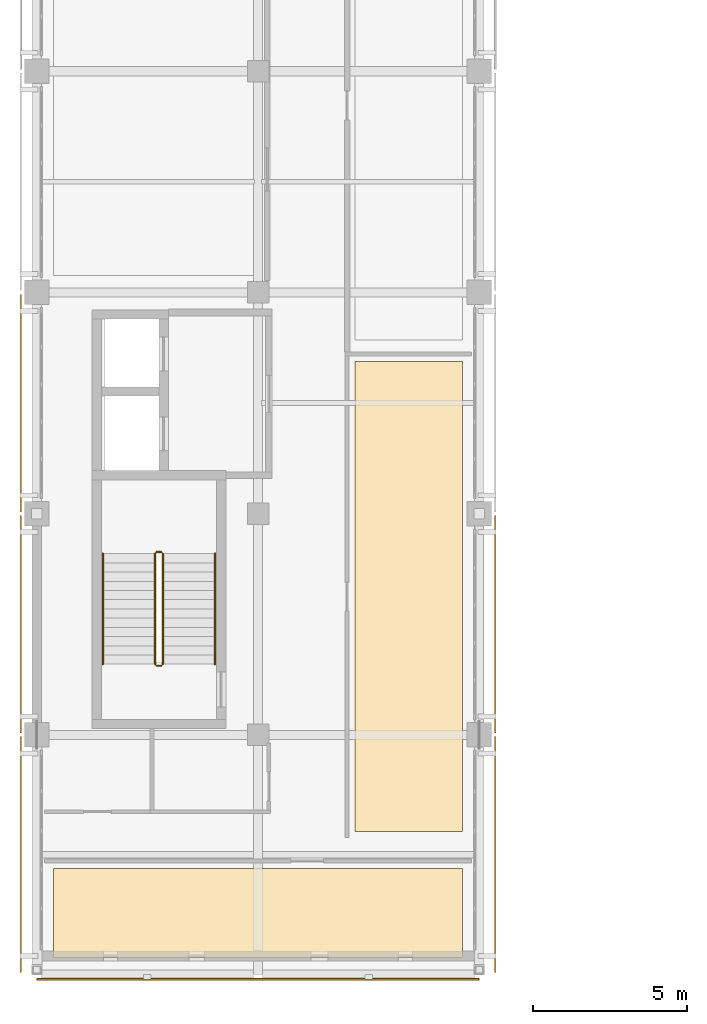
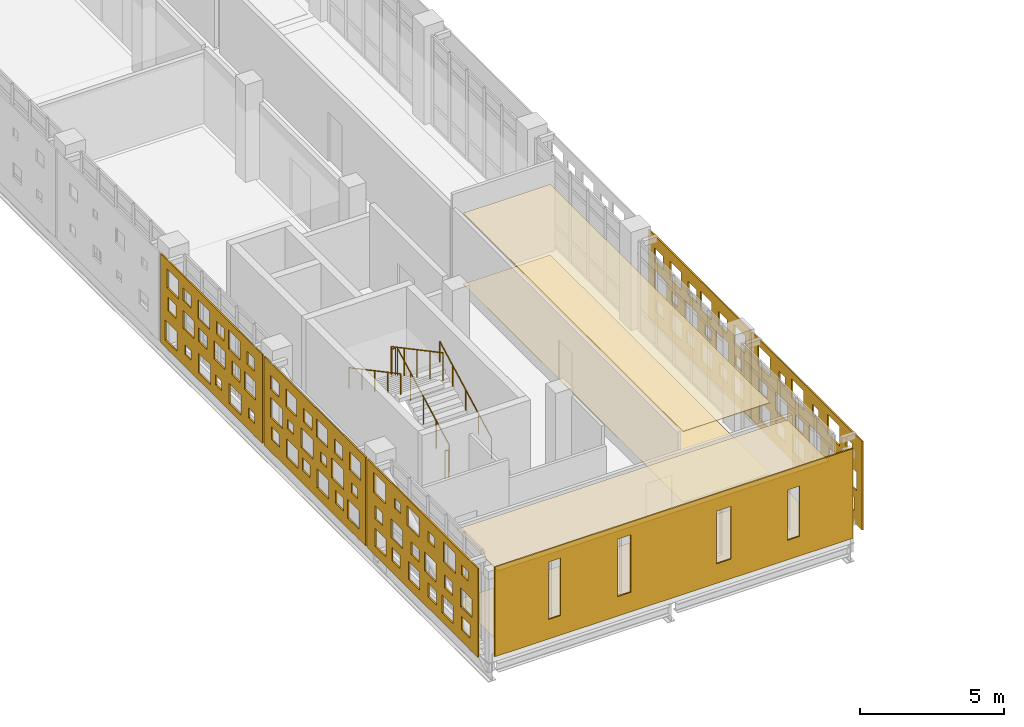
# One storey, part 28 of 33: 10 coverings, 6 railings.
"""IFC4 building model written with IfcOpenShell, lengths in metres."""

from ifc_helpers import new_model, si_unit, direction, frame, origin, origin_2d, place, context, subcontext, project, spatial, polyline, circle, outline, extrude, material, layer, layer_set, type_object, element, save


model = new_model("IFC4")

# Units and contexts
model_context = context("Model", 3, precision=1e-05, world=origin(), true_north=direction((0.0, 1.0)))
body_context = subcontext(model_context, "Body", "Model", "MODEL_VIEW")
ifc_project = project(units=[si_unit("LENGTHUNIT", "METRE"), si_unit("AREAUNIT", "SQUARE_METRE"), si_unit("VOLUMEUNIT", "CUBIC_METRE"), si_unit("PLANEANGLEUNIT", "RADIAN"), si_unit("MASSUNIT", "GRAM", prefix="KILO")], contexts=[model_context])

# Site, building, storey
site_placement = place(None, origin())
site = spatial("IfcSite", under=ifc_project, at=site_placement, CompositionType="ELEMENT")
building_placement = place(site_placement, origin())
building = spatial("IfcBuilding", under=site, at=building_placement, Name="Valkovuoma Quantum and Materials Research Institute", CompositionType="ELEMENT")
storey_placement = place(building_placement, frame((0.0, 0.0, 21.43994140625)))
storey = spatial("IfcBuildingStorey", under=building, at=storey_placement, Name="L05", CompositionType="ELEMENT", Elevation=21.43994140625)

# Coverings
ifc_material_1 = material(Name="Cleanable acoustic mineral-fibre suspended ceiling", Category="masonry")
ifc_layer_1 = layer(ifc_material_1, 0.02490234375)
ifc_layer_set_1 = layer_set([ifc_layer_1], Name="Cleanable acoustic mineral-fibre suspended ceiling")
covering_type_1 = type_object("IfcCoveringType", Name="Cov-CEIL-01", PredefinedType="CEILING", material=ifc_layer_set_1)
covering_1_placement = place(storey_placement, frame((0.0, 0.0, 3.0)))
element("IfcCovering", 1, at=covering_1_placement, inside=storey, type_object=covering_type_1, Name="L05 acoustic ceiling 0119", PredefinedType="CEILING", context=body_context, shape_type="SweptSolid", body=[
    extrude(outline(polyline([(0.550048828125, 21.550048828125), (13.85009765625, 21.550048828125), (13.85009765625, 24.449951171875), (0.550048828125, 24.449951171875), (0.550048828125, 21.550048828125)])), origin(), (0.0, 0.0, 1.0), 0.025146484375),
])
covering_2_placement = place(storey_placement, frame((0.0, 0.0, 3.0)))
element("IfcCovering", 2, at=covering_2_placement, inside=storey, type_object=covering_type_1, Name="L05 acoustic ceiling 0123", PredefinedType="CEILING", context=body_context, shape_type="SweptSolid", body=[
    extrude(outline(polyline([(10.35009765625, 25.64990234375), (13.85009765625, 25.64990234375), (13.85009765625, 40.949951171875), (10.35009765625, 40.949951171875), (10.35009765625, 25.64990234375)])), origin(), (0.0, 0.0, 1.0), 0.025146484375),
])
ifc_material_2 = material(Name="Seamless dissipative laboratory resin flooring", Category="masonry")
ifc_layer_2 = layer(ifc_material_2, 0.014892578125)
ifc_layer_set_2 = layer_set([ifc_layer_2], Name="Seamless dissipative laboratory resin flooring")
covering_type_2 = type_object("IfcCoveringType", Name="Cov-FLOR-01", PredefinedType="FLOORING", material=ifc_layer_set_2)
covering_3_placement = place(storey_placement, origin())
element("IfcCovering", 3, at=covering_3_placement, inside=storey, type_object=covering_type_2, Name="L05 resin flooring 0119", PredefinedType="FLOORING", context=body_context, shape_type="SweptSolid", body=[
    extrude(outline(polyline([(0.550048828125, 21.550048828125), (13.85009765625, 21.550048828125), (13.85009765625, 24.449951171875), (0.550048828125, 24.449951171875), (0.550048828125, 21.550048828125)])), origin(), (0.0, 0.0, 1.0), 0.01513671875),
])
covering_4_placement = place(storey_placement, origin())
element("IfcCovering", 4, at=covering_4_placement, inside=storey, type_object=covering_type_2, Name="L05 resin flooring 0123", PredefinedType="FLOORING", context=body_context, shape_type="SweptSolid", body=[
    extrude(outline(polyline([(10.35009765625, 25.64990234375), (13.85009765625, 25.64990234375), (13.85009765625, 40.949951171875), (10.35009765625, 40.949951171875), (10.35009765625, 25.64990234375)])), origin(), (0.0, 0.0, 1.0), 0.01513671875),
])
ifc_material_3 = material(Name="White powder-coated aluminium architectural panel", Category="aluminium")
ifc_layer_3 = layer(ifc_material_3, 0.054931640625)
ifc_layer_set_3 = layer_set([ifc_layer_3], Name="White powder-coated aluminium architectural panel")
covering_type_3 = type_object("IfcCoveringType", Name="Cov-PERF-DENSE", PredefinedType="CLADDING", material=ifc_layer_set_3)
covering_5_placement = place(storey_placement, frame((-0.52001953125, 21.06005859375, 0.02001953125), z_axis=(0.0, 0.0, 1.0), x_axis=(0.0, 1.0, 0.0)))
element("IfcCovering", 5, at=covering_5_placement, inside=storey, type_object=covering_type_3, Name="L05 graduated perforated white screen W-0056", PredefinedType="CLADDING", context=body_context, shape_type="SweptSolid", body=[
    extrude(outline(polyline([(0.0, 0.0), (7.679931640625, 0.0), (7.679931640625, 3.77001953125), (0.0, 3.77001953125), (0.0, 0.0)]), holes=[polyline([(0.558349609375, 0.485107421875), (0.558349609375, 1.06494140625), (1.13818359375, 1.06494140625), (1.13818359375, 0.485107421875), (0.558349609375, 0.485107421875)]), polyline([(0.38818359375, 1.43505859375), (0.38818359375, 2.235107421875), (1.188232421875, 2.235107421875), (1.188232421875, 1.43505859375), (0.38818359375, 1.43505859375)]), polyline([(0.6982421875, 2.8349609375), (0.6982421875, 3.2548828125), (1.118408203125, 3.2548828125), (1.118408203125, 2.8349609375), (0.6982421875, 2.8349609375)]), polyline([(1.72509765625, 0.39501953125), (1.72509765625, 1.155029296875), (2.485107421875, 1.155029296875), (2.485107421875, 0.39501953125), (1.72509765625, 0.39501953125)]), polyline([(1.77490234375, 1.56494140625), (1.77490234375, 2.10498046875), (2.31494140625, 2.10498046875), (2.31494140625, 1.56494140625), (1.77490234375, 1.56494140625)]), polyline([(1.56494140625, 2.625), (1.56494140625, 3.465087890625), (2.405029296875, 3.465087890625), (2.405029296875, 2.625), (1.56494140625, 2.625)]), polyline([(2.8916015625, 0.485107421875), (2.8916015625, 1.06494140625), (3.4716796875, 1.06494140625), (3.4716796875, 0.485107421875), (2.8916015625, 0.485107421875)]), polyline([(2.901611328125, 1.43505859375), (2.901611328125, 2.235107421875), (3.70166015625, 2.235107421875), (3.70166015625, 1.43505859375), (2.901611328125, 1.43505859375)]), polyline([(3.03173828125, 2.8349609375), (3.03173828125, 3.2548828125), (3.45166015625, 3.2548828125), (3.45166015625, 2.8349609375), (3.03173828125, 2.8349609375)]), polyline([(4.058349609375, 0.39501953125), (4.058349609375, 1.155029296875), (4.818359375, 1.155029296875), (4.818359375, 0.39501953125), (4.058349609375, 0.39501953125)]), polyline([(4.1083984375, 1.56494140625), (4.1083984375, 2.10498046875), (4.648193359375, 2.10498046875), (4.648193359375, 1.56494140625), (4.1083984375, 1.56494140625)]), polyline([(4.078369140625, 2.625), (4.078369140625, 3.465087890625), (4.918212890625, 3.465087890625), (4.918212890625, 2.625), (4.078369140625, 2.625)]), polyline([(5.405029296875, 0.485107421875), (5.405029296875, 1.06494140625), (5.985107421875, 1.06494140625), (5.985107421875, 0.485107421875), (5.405029296875, 0.485107421875)]), polyline([(5.235107421875, 1.43505859375), (5.235107421875, 2.235107421875), (6.034912109375, 2.235107421875), (6.034912109375, 1.43505859375), (5.235107421875, 1.43505859375)]), polyline([(5.364990234375, 2.8349609375), (5.364990234375, 3.2548828125), (5.784912109375, 3.2548828125), (5.784912109375, 2.8349609375), (5.364990234375, 2.8349609375)]), polyline([(6.3916015625, 0.39501953125), (6.3916015625, 1.155029296875), (7.151611328125, 1.155029296875), (7.151611328125, 0.39501953125), (6.3916015625, 0.39501953125)]), polyline([(6.62158203125, 1.56494140625), (6.62158203125, 2.10498046875), (7.16162109375, 2.10498046875), (7.16162109375, 1.56494140625), (6.62158203125, 1.56494140625)]), polyline([(6.41162109375, 2.625), (6.41162109375, 3.465087890625), (7.251708984375, 3.465087890625), (7.251708984375, 2.625), (6.41162109375, 2.625)])]), frame((0.0, 0.02734375, 0.0), z_axis=(0.0, -1.0, 0.0), x_axis=(1.0, 0.0, 0.0)), (0.0, 0.0, 1.0), 0.054931640625),
])
covering_6_placement = place(storey_placement, frame((14.919921875, 21.06005859375, 0.02001953125), z_axis=(0.0, 0.0, 1.0), x_axis=(0.0, 1.0, 0.0)))
element("IfcCovering", 6, at=covering_6_placement, inside=storey, type_object=covering_type_3, Name="L05 graduated perforated white screen E-0057", PredefinedType="CLADDING", context=body_context, shape_type="SweptSolid", body=[
    extrude(outline(polyline([(0.0, 0.0), (7.679931640625, 0.0), (7.679931640625, 3.77001953125), (0.0, 3.77001953125), (0.0, 0.0)]), holes=[polyline([(0.558349609375, 0.485107421875), (0.558349609375, 1.06494140625), (1.13818359375, 1.06494140625), (1.13818359375, 0.485107421875), (0.558349609375, 0.485107421875)]), polyline([(0.38818359375, 1.43505859375), (0.38818359375, 2.235107421875), (1.188232421875, 2.235107421875), (1.188232421875, 1.43505859375), (0.38818359375, 1.43505859375)]), polyline([(0.6982421875, 2.8349609375), (0.6982421875, 3.2548828125), (1.118408203125, 3.2548828125), (1.118408203125, 2.8349609375), (0.6982421875, 2.8349609375)]), polyline([(1.72509765625, 0.39501953125), (1.72509765625, 1.155029296875), (2.485107421875, 1.155029296875), (2.485107421875, 0.39501953125), (1.72509765625, 0.39501953125)]), polyline([(1.77490234375, 1.56494140625), (1.77490234375, 2.10498046875), (2.31494140625, 2.10498046875), (2.31494140625, 1.56494140625), (1.77490234375, 1.56494140625)]), polyline([(1.56494140625, 2.625), (1.56494140625, 3.465087890625), (2.405029296875, 3.465087890625), (2.405029296875, 2.625), (1.56494140625, 2.625)]), polyline([(2.8916015625, 0.485107421875), (2.8916015625, 1.06494140625), (3.4716796875, 1.06494140625), (3.4716796875, 0.485107421875), (2.8916015625, 0.485107421875)]), polyline([(2.901611328125, 1.43505859375), (2.901611328125, 2.235107421875), (3.70166015625, 2.235107421875), (3.70166015625, 1.43505859375), (2.901611328125, 1.43505859375)]), polyline([(3.03173828125, 2.8349609375), (3.03173828125, 3.2548828125), (3.45166015625, 3.2548828125), (3.45166015625, 2.8349609375), (3.03173828125, 2.8349609375)]), polyline([(4.058349609375, 0.39501953125), (4.058349609375, 1.155029296875), (4.818359375, 1.155029296875), (4.818359375, 0.39501953125), (4.058349609375, 0.39501953125)]), polyline([(4.1083984375, 1.56494140625), (4.1083984375, 2.10498046875), (4.648193359375, 2.10498046875), (4.648193359375, 1.56494140625), (4.1083984375, 1.56494140625)]), polyline([(4.078369140625, 2.625), (4.078369140625, 3.465087890625), (4.918212890625, 3.465087890625), (4.918212890625, 2.625), (4.078369140625, 2.625)]), polyline([(5.405029296875, 0.485107421875), (5.405029296875, 1.06494140625), (5.985107421875, 1.06494140625), (5.985107421875, 0.485107421875), (5.405029296875, 0.485107421875)]), polyline([(5.235107421875, 1.43505859375), (5.235107421875, 2.235107421875), (6.034912109375, 2.235107421875), (6.034912109375, 1.43505859375), (5.235107421875, 1.43505859375)]), polyline([(5.364990234375, 2.8349609375), (5.364990234375, 3.2548828125), (5.784912109375, 3.2548828125), (5.784912109375, 2.8349609375), (5.364990234375, 2.8349609375)]), polyline([(6.3916015625, 0.39501953125), (6.3916015625, 1.155029296875), (7.151611328125, 1.155029296875), (7.151611328125, 0.39501953125), (6.3916015625, 0.39501953125)]), polyline([(6.62158203125, 1.56494140625), (6.62158203125, 2.10498046875), (7.16162109375, 2.10498046875), (7.16162109375, 1.56494140625), (6.62158203125, 1.56494140625)]), polyline([(6.41162109375, 2.625), (6.41162109375, 3.465087890625), (7.251708984375, 3.465087890625), (7.251708984375, 2.625), (6.41162109375, 2.625)])]), frame((0.0, 0.02734375, 0.0), z_axis=(0.0, -1.0, 0.0), x_axis=(1.0, 0.0, 0.0)), (0.0, 0.0, 1.0), 0.054931640625),
])
covering_7_placement = place(storey_placement, frame((-0.52001953125, 28.860107421875, 0.02001953125), z_axis=(0.0, 0.0, 1.0), x_axis=(0.0, 1.0, 0.0)))
element("IfcCovering", 7, at=covering_7_placement, inside=storey, type_object=covering_type_3, Name="L05 graduated perforated white screen W-0058", PredefinedType="CLADDING", context=body_context, shape_type="SweptSolid", body=[
    extrude(outline(polyline([(0.0, 0.0), (7.079833984375, 0.0), (7.079833984375, 3.77001953125), (0.0, 3.77001953125), (0.0, 0.0)]), holes=[polyline([(0.458251953125, 0.425048828125), (0.458251953125, 1.22509765625), (1.25830078125, 1.22509765625), (1.25830078125, 0.425048828125), (0.458251953125, 0.425048828125)]), polyline([(0.58837890625, 1.675048828125), (0.58837890625, 2.094970703125), (1.00830078125, 2.094970703125), (1.00830078125, 1.675048828125), (0.58837890625, 1.675048828125)]), polyline([(0.3583984375, 2.56494140625), (0.3583984375, 3.324951171875), (1.118408203125, 3.324951171875), (1.118408203125, 2.56494140625), (0.3583984375, 2.56494140625)]), polyline([(1.56494140625, 0.554931640625), (1.56494140625, 1.094970703125), (2.10498046875, 1.094970703125), (2.10498046875, 0.554931640625), (1.56494140625, 0.554931640625)]), polyline([(1.534912109375, 1.465087890625), (1.534912109375, 2.304931640625), (2.375, 2.304931640625), (2.375, 1.465087890625), (1.534912109375, 1.465087890625)]), polyline([(1.60498046875, 2.655029296875), (1.60498046875, 3.235107421875), (2.18505859375, 3.235107421875), (2.18505859375, 2.655029296875), (1.60498046875, 2.655029296875)]), polyline([(2.591796875, 0.425048828125), (2.591796875, 1.22509765625), (3.3916015625, 1.22509765625), (3.3916015625, 0.425048828125), (2.591796875, 0.425048828125)]), polyline([(2.7216796875, 1.675048828125), (2.7216796875, 2.094970703125), (3.1416015625, 2.094970703125), (3.1416015625, 1.675048828125), (2.7216796875, 1.675048828125)]), polyline([(2.671630859375, 2.56494140625), (2.671630859375, 3.324951171875), (3.431640625, 3.324951171875), (3.431640625, 2.56494140625), (2.671630859375, 2.56494140625)]), polyline([(3.87841796875, 0.554931640625), (3.87841796875, 1.094970703125), (4.418212890625, 1.094970703125), (4.418212890625, 0.554931640625), (3.87841796875, 0.554931640625)]), polyline([(3.668212890625, 1.465087890625), (3.668212890625, 2.304931640625), (4.50830078125, 2.304931640625), (4.50830078125, 1.465087890625), (3.668212890625, 1.465087890625)]), polyline([(3.73828125, 2.655029296875), (3.73828125, 3.235107421875), (4.318359375, 3.235107421875), (4.318359375, 2.655029296875), (3.73828125, 2.655029296875)]), polyline([(4.72509765625, 0.425048828125), (4.72509765625, 1.22509765625), (5.52490234375, 1.22509765625), (5.52490234375, 0.425048828125), (4.72509765625, 0.425048828125)]), polyline([(5.034912109375, 1.675048828125), (5.034912109375, 2.094970703125), (5.455078125, 2.094970703125), (5.455078125, 1.675048828125), (5.034912109375, 1.675048828125)]), polyline([(4.804931640625, 2.56494140625), (4.804931640625, 3.324951171875), (5.56494140625, 3.324951171875), (5.56494140625, 2.56494140625), (4.804931640625, 2.56494140625)]), polyline([(6.01171875, 0.554931640625), (6.01171875, 1.094970703125), (6.5517578125, 1.094970703125), (6.5517578125, 0.554931640625), (6.01171875, 0.554931640625)]), polyline([(5.8017578125, 1.465087890625), (5.8017578125, 2.304931640625), (6.6416015625, 2.304931640625), (6.6416015625, 1.465087890625), (5.8017578125, 1.465087890625)]), polyline([(6.0517578125, 2.655029296875), (6.0517578125, 3.235107421875), (6.631591796875, 3.235107421875), (6.631591796875, 2.655029296875), (6.0517578125, 2.655029296875)])]), frame((0.0, 0.02734375, 0.0), z_axis=(0.0, -1.0, 0.0), x_axis=(1.0, 0.0, 0.0)), (0.0, 0.0, 1.0), 0.054931640625),
])
covering_8_placement = place(storey_placement, frame((14.919921875, 28.860107421875, 0.02001953125), z_axis=(0.0, 0.0, 1.0), x_axis=(0.0, 1.0, 0.0)))
element("IfcCovering", 8, at=covering_8_placement, inside=storey, type_object=covering_type_3, Name="L05 graduated perforated white screen E-0059", PredefinedType="CLADDING", context=body_context, shape_type="SweptSolid", body=[
    extrude(outline(polyline([(0.0, 0.0), (7.079833984375, 0.0), (7.079833984375, 3.77001953125), (0.0, 3.77001953125), (0.0, 0.0)]), holes=[polyline([(0.458251953125, 0.425048828125), (0.458251953125, 1.22509765625), (1.25830078125, 1.22509765625), (1.25830078125, 0.425048828125), (0.458251953125, 0.425048828125)]), polyline([(0.58837890625, 1.675048828125), (0.58837890625, 2.094970703125), (1.00830078125, 2.094970703125), (1.00830078125, 1.675048828125), (0.58837890625, 1.675048828125)]), polyline([(0.3583984375, 2.56494140625), (0.3583984375, 3.324951171875), (1.118408203125, 3.324951171875), (1.118408203125, 2.56494140625), (0.3583984375, 2.56494140625)]), polyline([(1.56494140625, 0.554931640625), (1.56494140625, 1.094970703125), (2.10498046875, 1.094970703125), (2.10498046875, 0.554931640625), (1.56494140625, 0.554931640625)]), polyline([(1.534912109375, 1.465087890625), (1.534912109375, 2.304931640625), (2.375, 2.304931640625), (2.375, 1.465087890625), (1.534912109375, 1.465087890625)]), polyline([(1.60498046875, 2.655029296875), (1.60498046875, 3.235107421875), (2.18505859375, 3.235107421875), (2.18505859375, 2.655029296875), (1.60498046875, 2.655029296875)]), polyline([(2.591796875, 0.425048828125), (2.591796875, 1.22509765625), (3.3916015625, 1.22509765625), (3.3916015625, 0.425048828125), (2.591796875, 0.425048828125)]), polyline([(2.7216796875, 1.675048828125), (2.7216796875, 2.094970703125), (3.1416015625, 2.094970703125), (3.1416015625, 1.675048828125), (2.7216796875, 1.675048828125)]), polyline([(2.671630859375, 2.56494140625), (2.671630859375, 3.324951171875), (3.431640625, 3.324951171875), (3.431640625, 2.56494140625), (2.671630859375, 2.56494140625)]), polyline([(3.87841796875, 0.554931640625), (3.87841796875, 1.094970703125), (4.418212890625, 1.094970703125), (4.418212890625, 0.554931640625), (3.87841796875, 0.554931640625)]), polyline([(3.668212890625, 1.465087890625), (3.668212890625, 2.304931640625), (4.50830078125, 2.304931640625), (4.50830078125, 1.465087890625), (3.668212890625, 1.465087890625)]), polyline([(3.73828125, 2.655029296875), (3.73828125, 3.235107421875), (4.318359375, 3.235107421875), (4.318359375, 2.655029296875), (3.73828125, 2.655029296875)]), polyline([(4.72509765625, 0.425048828125), (4.72509765625, 1.22509765625), (5.52490234375, 1.22509765625), (5.52490234375, 0.425048828125), (4.72509765625, 0.425048828125)]), polyline([(5.034912109375, 1.675048828125), (5.034912109375, 2.094970703125), (5.455078125, 2.094970703125), (5.455078125, 1.675048828125), (5.034912109375, 1.675048828125)]), polyline([(4.804931640625, 2.56494140625), (4.804931640625, 3.324951171875), (5.56494140625, 3.324951171875), (5.56494140625, 2.56494140625), (4.804931640625, 2.56494140625)]), polyline([(6.01171875, 0.554931640625), (6.01171875, 1.094970703125), (6.5517578125, 1.094970703125), (6.5517578125, 0.554931640625), (6.01171875, 0.554931640625)]), polyline([(5.8017578125, 1.465087890625), (5.8017578125, 2.304931640625), (6.6416015625, 2.304931640625), (6.6416015625, 1.465087890625), (5.8017578125, 1.465087890625)]), polyline([(6.0517578125, 2.655029296875), (6.0517578125, 3.235107421875), (6.631591796875, 3.235107421875), (6.631591796875, 2.655029296875), (6.0517578125, 2.655029296875)])]), frame((0.0, 0.02734375, 0.0), z_axis=(0.0, -1.0, 0.0), x_axis=(1.0, 0.0, 0.0)), (0.0, 0.0, 1.0), 0.054931640625),
])
covering_9_placement = place(storey_placement, frame((-0.52001953125, 36.06005859375, 0.02001953125), z_axis=(0.0, 0.0, 1.0), x_axis=(0.0, 1.0, 0.0)))
element("IfcCovering", 9, at=covering_9_placement, inside=storey, type_object=covering_type_3, Name="L05 graduated perforated white screen W-0060", PredefinedType="CLADDING", context=body_context, shape_type="SweptSolid", body=[
    extrude(outline(polyline([(0.0, 0.0), (7.079833984375, 0.0), (7.079833984375, 3.77001953125), (0.0, 3.77001953125), (0.0, 0.0)]), holes=[polyline([(0.5283203125, 0.514892578125), (0.5283203125, 0.93505859375), (0.9482421875, 0.93505859375), (0.9482421875, 0.514892578125), (0.5283203125, 0.514892578125)]), polyline([(0.478271484375, 1.554931640625), (0.478271484375, 2.31494140625), (1.23828125, 2.31494140625), (1.23828125, 1.554931640625), (0.478271484375, 1.554931640625)]), polyline([(0.5283203125, 2.72509765625), (0.5283203125, 3.264892578125), (1.068359375, 3.264892578125), (1.068359375, 2.72509765625), (0.5283203125, 2.72509765625)]), polyline([(1.47509765625, 0.304931640625), (1.47509765625, 1.14501953125), (2.31494140625, 1.14501953125), (2.31494140625, 0.304931640625), (1.47509765625, 0.304931640625)]), polyline([(1.544921875, 1.64501953125), (1.544921875, 2.22509765625), (2.125, 2.22509765625), (2.125, 1.64501953125), (1.544921875, 1.64501953125)]), polyline([(1.554931640625, 2.594970703125), (1.554931640625, 3.39501953125), (2.35498046875, 3.39501953125), (2.35498046875, 2.594970703125), (1.554931640625, 2.594970703125)]), polyline([(2.841796875, 0.514892578125), (2.841796875, 0.93505859375), (3.26171875, 0.93505859375), (3.26171875, 0.514892578125), (2.841796875, 0.514892578125)]), polyline([(2.61181640625, 1.554931640625), (2.61181640625, 2.31494140625), (3.37158203125, 2.31494140625), (3.37158203125, 1.554931640625), (2.61181640625, 1.554931640625)]), polyline([(2.66162109375, 2.72509765625), (2.66162109375, 3.264892578125), (3.20166015625, 3.264892578125), (3.20166015625, 2.72509765625), (2.66162109375, 2.72509765625)]), polyline([(3.6083984375, 0.304931640625), (3.6083984375, 1.14501953125), (4.4482421875, 1.14501953125), (4.4482421875, 0.304931640625), (3.6083984375, 0.304931640625)]), polyline([(3.8583984375, 1.64501953125), (3.8583984375, 2.22509765625), (4.438232421875, 2.22509765625), (4.438232421875, 1.64501953125), (3.8583984375, 1.64501953125)]), polyline([(3.688232421875, 2.594970703125), (3.688232421875, 3.39501953125), (4.48828125, 3.39501953125), (4.48828125, 2.594970703125), (3.688232421875, 2.594970703125)]), polyline([(4.97509765625, 0.514892578125), (4.97509765625, 0.93505859375), (5.39501953125, 0.93505859375), (5.39501953125, 0.514892578125), (4.97509765625, 0.514892578125)]), polyline([(4.7451171875, 1.554931640625), (4.7451171875, 2.31494140625), (5.5048828125, 2.31494140625), (5.5048828125, 1.554931640625), (4.7451171875, 1.554931640625)]), polyline([(4.97509765625, 2.72509765625), (4.97509765625, 3.264892578125), (5.514892578125, 3.264892578125), (5.514892578125, 2.72509765625), (4.97509765625, 2.72509765625)]), polyline([(5.921630859375, 0.304931640625), (5.921630859375, 1.14501953125), (6.76171875, 1.14501953125), (6.76171875, 0.304931640625), (5.921630859375, 0.304931640625)]), polyline([(5.99169921875, 1.64501953125), (5.99169921875, 2.22509765625), (6.57177734375, 2.22509765625), (6.57177734375, 1.64501953125), (5.99169921875, 1.64501953125)]), polyline([(5.82177734375, 2.594970703125), (5.82177734375, 3.39501953125), (6.62158203125, 3.39501953125), (6.62158203125, 2.594970703125), (5.82177734375, 2.594970703125)])]), frame((0.0, 0.02734375, 0.0), z_axis=(0.0, -1.0, 0.0), x_axis=(1.0, 0.0, 0.0)), (0.0, 0.0, 1.0), 0.054931640625),
])
ifc_material_4 = material(Name="White powder-coated aluminium architectural panel", Category="aluminium")
ifc_layer_4 = layer(ifc_material_4, 0.054931640625)
ifc_layer_set_4 = layer_set([ifc_layer_4], Name="White powder-coated aluminium architectural panel")
covering_type_4 = type_object("IfcCoveringType", Name="Cov-WHITE-01", PredefinedType="CLADDING", material=ifc_layer_set_4)
covering_10_placement = place(storey_placement, frame((0.0, 20.85009765625, 0.0), z_axis=(0.0, 0.0, 1.0), x_axis=(1.0, 0.0, 0.0)))
element("IfcCovering", 10, at=covering_10_placement, inside=storey, type_object=covering_type_4, Name="L05 south white slot-window end skin", PredefinedType="CLADDING", context=body_context, shape_type="SweptSolid", body=[
    extrude(outline(polyline([(0.0, 0.0), (14.39990234375, 0.0), (14.39990234375, 3.81005859375), (0.0, 3.81005859375), (0.0, 0.0)]), holes=[polyline([(2.155029296875, 0.830078125), (2.155029296875, 3.27001953125), (2.64501953125, 3.27001953125), (2.64501953125, 0.830078125), (2.155029296875, 0.830078125)]), polyline([(4.929931640625, 0.830078125), (4.929931640625, 3.27001953125), (5.469970703125, 3.27001953125), (5.469970703125, 0.830078125), (4.929931640625, 0.830078125)]), polyline([(8.905029296875, 0.830078125), (8.905029296875, 3.070068359375), (9.4951171875, 3.070068359375), (9.4951171875, 0.830078125), (8.905029296875, 0.830078125)]), polyline([(11.7548828125, 0.830078125), (11.7548828125, 2.969970703125), (12.2451171875, 2.969970703125), (12.2451171875, 0.830078125), (11.7548828125, 0.830078125)])]), frame((0.0, 0.02734375, 0.0), z_axis=(0.0, -1.0, 0.0), x_axis=(1.0, 0.0, 0.0)), (0.0, 0.0, 1.0), 0.054931640625),
])

# Railings
ifc_material_5 = material(Name="Painted steel stair balustrade", Category="steel")
railing_type_1 = type_object("IfcRailingType", Name="Rail-GRD-ST", PredefinedType="BALUSTRADE", material=ifc_material_5)
railing_1_placement = place(storey_placement, frame((4.10009765625, 31.10009765625, 0.16015625)))
element("IfcRailing", 11, at=railing_1_placement, inside=storey, type_object=railing_type_1, Name="L05 ST-1 stair guard 1", PredefinedType="BALUSTRADE", context=body_context, shape_type="SweptSolid", body=[
    extrude(circle(Radius=0.02392578125, at=origin_2d()), frame((0.0, 0.0, 1.17578125), z_axis=(0.0, 0.882352941176, 0.470588235294), x_axis=(-1.0, 0.0, 0.0)), (0.0, 0.0, 1.0), 4.079833984375),
    extrude(circle(Radius=0.02099609375, at=origin_2d()), origin(), (0.0, 0.0, 1.0), 1.15185546875),
    extrude(circle(Radius=0.02099609375, at=origin_2d()), frame((0.0, 0.89990234375, 0.47998046875)), (0.0, 0.0, 1.0), 1.15185546875),
    extrude(circle(Radius=0.02099609375, at=origin_2d()), frame((0.0, 1.7998046875, 0.9599609375)), (0.0, 0.0, 1.0), 1.15185546875),
    extrude(circle(Radius=0.02099609375, at=origin_2d()), frame((0.0, 2.699951171875, 1.43994140625)), (0.0, 0.0, 1.0), 1.15185546875),
    extrude(circle(Radius=0.02099609375, at=origin_2d()), frame((0.0, 3.599853515625, 1.919921875)), (0.0, 0.0, 1.0), 1.15185546875),
])
railing_2_placement = place(storey_placement, frame((4.050048828125, 34.75, 2.080078125)))
element("IfcRailing", 12, at=railing_2_placement, inside=storey, type_object=railing_type_1, Name="L05 ST-1 stair guard 2", PredefinedType="BALUSTRADE", context=body_context, shape_type="SweptSolid", body=[
    extrude(circle(Radius=0.02392578125, at=origin_2d()), frame((0.0, 0.0, 1.17578125), z_axis=(-1.0, 0.0, 0.0), x_axis=(0.0, -1.0, 0.0)), (0.0, 0.0, 1.0), 0.150146484375),
    extrude(circle(Radius=0.02099609375, at=origin_2d()), origin(), (0.0, 0.0, 1.0), 1.15185546875),
    extrude(circle(Radius=0.02099609375, at=origin_2d()), frame((-0.150146484375, 0.0, 0.0)), (0.0, 0.0, 1.0), 1.15185546875),
])
railing_3_placement = place(storey_placement, frame((3.85009765625, 34.699951171875, 2.239990234375)))
element("IfcRailing", 13, at=railing_3_placement, inside=storey, type_object=railing_type_1, Name="L05 ST-1 stair guard 3", PredefinedType="BALUSTRADE", context=body_context, shape_type="SweptSolid", body=[
    extrude(circle(Radius=0.02392578125, at=origin_2d()), frame((0.0, 0.0, 1.17578125), z_axis=(0.0, -0.882328093246, 0.470634822203), x_axis=(1.0, 0.0, 0.0)), (0.0, 0.0, 1.0), 4.079833984375),
    extrude(circle(Radius=0.02099609375, at=origin_2d()), origin(), (0.0, 0.0, 1.0), 1.15185546875),
    extrude(circle(Radius=0.02099609375, at=origin_2d()), frame((0.0, -0.89990234375, 0.47998046875)), (0.0, 0.0, 1.0), 1.15185546875),
    extrude(circle(Radius=0.02099609375, at=origin_2d()), frame((0.0, -1.7998046875, 0.9599609375)), (0.0, 0.0, 1.0), 1.15185546875),
    extrude(circle(Radius=0.02099609375, at=origin_2d()), frame((0.0, -2.699951171875, 1.440185546875)), (0.0, 0.0, 1.0), 1.15185546875),
    extrude(circle(Radius=0.02099609375, at=origin_2d()), frame((0.0, -3.599853515625, 1.920166015625)), (0.0, 0.0, 1.0), 1.15185546875),
])
railing_4_placement = place(storey_placement, frame((4.050048828125, 31.050048828125, 0.0)))
element("IfcRailing", 14, at=railing_4_placement, inside=storey, type_object=railing_type_1, Name="L05 ST-1 stair guard 4", PredefinedType="BALUSTRADE", context=body_context, shape_type="SweptSolid", body=[
    extrude(circle(Radius=0.02392578125, at=origin_2d()), frame((0.0, 0.0, 1.17578125), z_axis=(-1.0, 0.0, 0.0), x_axis=(0.0, -1.0, 0.0)), (0.0, 0.0, 1.0), 0.150146484375),
    extrude(circle(Radius=0.02099609375, at=origin_2d()), origin(), (0.0, 0.0, 1.0), 1.15185546875),
    extrude(circle(Radius=0.02099609375, at=origin_2d()), frame((-0.150146484375, 0.0, 0.0)), (0.0, 0.0, 1.0), 1.15185546875),
])
ifc_material_6 = material(Name="Brushed stainless steel handrail", Category="steel")
railing_type_2 = type_object("IfcRailingType", Name="Rail-HR-ST", PredefinedType="HANDRAIL", material=ifc_material_6)
railing_5_placement = place(storey_placement, frame((5.800048828125, 31.10009765625, 0.16015625)))
element("IfcRailing", 15, at=railing_5_placement, inside=storey, type_object=railing_type_2, Name="L05 ST-1 stair handrail 1", PredefinedType="HANDRAIL", context=body_context, shape_type="SweptSolid", body=[
    extrude(circle(Radius=0.02392578125, at=origin_2d()), frame((0.0, 0.0, 0.8759765625), z_axis=(0.0, 0.882352941176, 0.470588235294), x_axis=(-1.0, 0.0, 0.0)), (0.0, 0.0, 1.0), 4.079833984375),
    extrude(circle(Radius=0.02099609375, at=origin_2d()), origin(), (0.0, 0.0, 1.0), 0.851806640625),
    extrude(circle(Radius=0.02099609375, at=origin_2d()), frame((0.0, 0.89990234375, 0.47998046875)), (0.0, 0.0, 1.0), 0.851806640625),
    extrude(circle(Radius=0.02099609375, at=origin_2d()), frame((0.0, 1.7998046875, 0.9599609375)), (0.0, 0.0, 1.0), 0.851806640625),
    extrude(circle(Radius=0.02099609375, at=origin_2d()), frame((0.0, 2.699951171875, 1.43994140625)), (0.0, 0.0, 1.0), 0.851806640625),
    extrude(circle(Radius=0.02099609375, at=origin_2d()), frame((0.0, 3.599853515625, 1.919921875)), (0.0, 0.0, 1.0), 0.851806640625),
])
railing_6_placement = place(storey_placement, frame((2.14990234375, 34.699951171875, 2.239990234375)))
element("IfcRailing", 16, at=railing_6_placement, inside=storey, type_object=railing_type_2, Name="L05 ST-1 stair handrail 2", PredefinedType="HANDRAIL", context=body_context, shape_type="SweptSolid", body=[
    extrude(circle(Radius=0.02392578125, at=origin_2d()), frame((0.0, 0.0, 0.8759765625), z_axis=(0.0, -0.882328093246, 0.470634822203), x_axis=(1.0, 0.0, 0.0)), (0.0, 0.0, 1.0), 4.079833984375),
    extrude(circle(Radius=0.02099609375, at=origin_2d()), origin(), (0.0, 0.0, 1.0), 0.851806640625),
    extrude(circle(Radius=0.02099609375, at=origin_2d()), frame((0.0, -0.89990234375, 0.47998046875)), (0.0, 0.0, 1.0), 0.851806640625),
    extrude(circle(Radius=0.02099609375, at=origin_2d()), frame((0.0, -1.7998046875, 0.9599609375)), (0.0, 0.0, 1.0), 0.851806640625),
    extrude(circle(Radius=0.02099609375, at=origin_2d()), frame((0.0, -2.699951171875, 1.440185546875)), (0.0, 0.0, 1.0), 0.851806640625),
    extrude(circle(Radius=0.02099609375, at=origin_2d()), frame((0.0, -3.599853515625, 1.920166015625)), (0.0, 0.0, 1.0), 0.851806640625),
])

save(model, "model.ifc")
